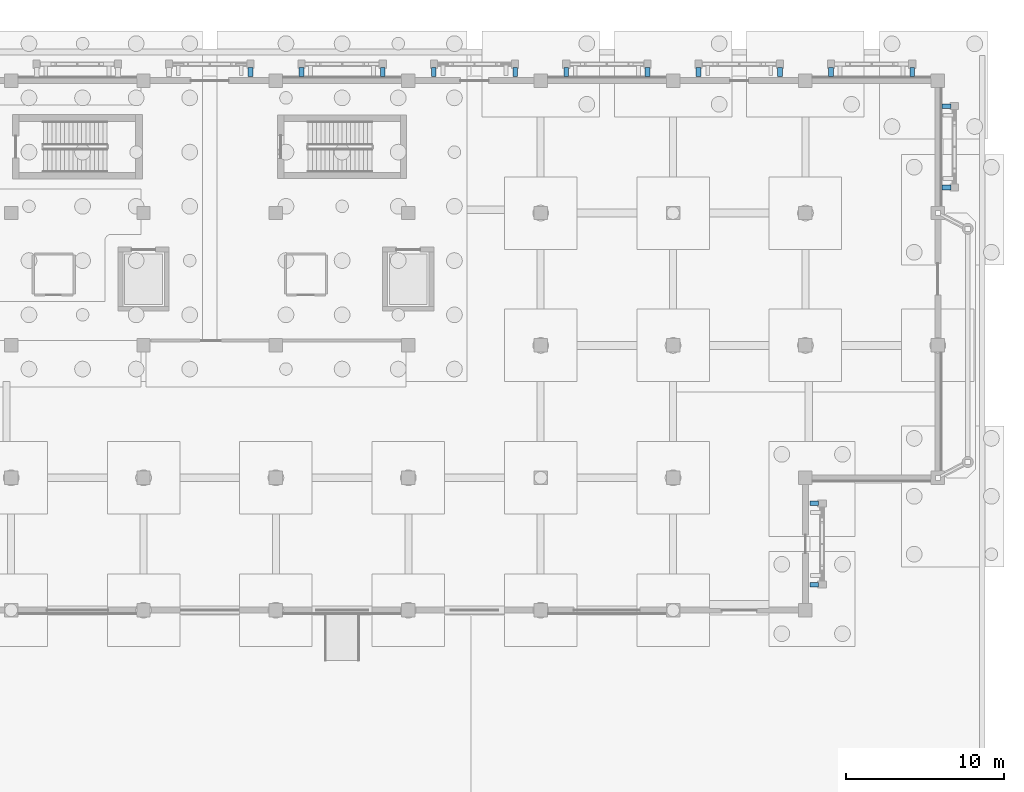
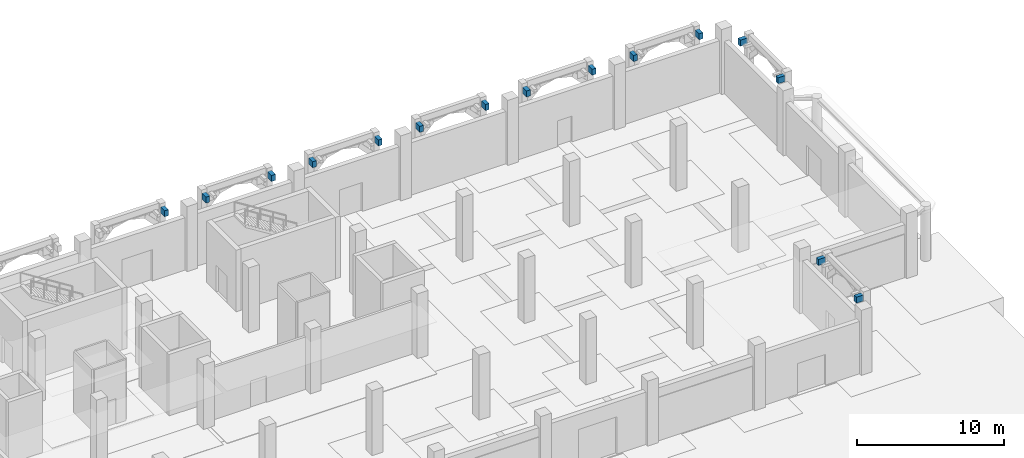
# One storey, part 49 of 98: 15 beams.
"""IFC4 building model written with IfcOpenShell, lengths in metres."""

from ifc_helpers import new_model, si_unit, direction, frame, origin, origin_2d, place, context, subcontext, project, spatial, rectangle, extrude, material, material_profile, profile_set, type_object, element, save


model = new_model("IFC4")

# Units and contexts
model_context = context("Model", 3, precision=1e-05, world=origin(), true_north=direction((0.0, 1.0)))
body_context = subcontext(model_context, "Body", "Model", "MODEL_VIEW")
ifc_project = project(units=[si_unit("LENGTHUNIT", "METRE"), si_unit("AREAUNIT", "SQUARE_METRE"), si_unit("VOLUMEUNIT", "CUBIC_METRE"), si_unit("PLANEANGLEUNIT", "RADIAN"), si_unit("MASSUNIT", "GRAM", prefix="KILO")], contexts=[model_context])

# Site, building, storey
site_placement = place(None, origin())
site = spatial("IfcSite", under=ifc_project, at=site_placement, CompositionType="ELEMENT")
building_placement = place(site_placement, origin())
building = spatial("IfcBuilding", under=site, at=building_placement, Name="Xazarin Passage Department Store", CompositionType="ELEMENT")
storey_placement = place(building_placement, origin())
storey = spatial("IfcBuildingStorey", under=building, at=storey_placement, Name="L00", CompositionType="ELEMENT", Elevation=0.0)

# Beams
ifc_material = material(Name="Concrete C35/45", Category="concrete")
ifc_material_profile = material_profile(ifc_material, rectangle(XDim=0.300048828125, YDim=0.5, at=origin_2d()), Name="RC 300x500")
ifc_profile_set = profile_set([ifc_material_profile], Name="Concrete C35/45")
beam_type = type_object("IfcBeamType", Name="STR-BM-LN300x500", PredefinedType="LINTEL", material=ifc_profile_set)
for number, where, z_axis, x_axis, name in (
    (1, (125.97998046875, 110.280029296875, 4.85009765625), (0.0, 1.0, 0.0), (-1.0, 0.0, 0.0), "L00 V4 Colonnade Tie Rib 042R"),
    (2, (129.219970703125, 110.280029296875, 4.85009765625), (0.0, 1.0, 0.0), (-1.0, 0.0, 0.0), "L00 V4 Colonnade Tie Rib 043L"),
    (3, (134.3798828125, 110.280029296875, 4.85009765625), (0.0, 1.0, 0.0), (-1.0, 0.0, 0.0), "L00 V4 Colonnade Tie Rib 043R"),
    (4, (137.6201171875, 110.280029296875, 4.85009765625), (0.0, 1.0, 0.0), (-1.0, 0.0, 0.0), "L00 V4 Colonnade Tie Rib 044L"),
    (5, (142.780029296875, 110.280029296875, 4.85009765625), (0.0, 1.0, 0.0), (-1.0, 0.0, 0.0), "L00 V4 Colonnade Tie Rib 044R"),
    (6, (146.02001953125, 110.280029296875, 4.85009765625), (0.0, 1.0, 0.0), (-1.0, 0.0, 0.0), "L00 V4 Colonnade Tie Rib 045L"),
    (7, (151.179931640625, 110.280029296875, 4.85009765625), (0.0, 1.0, 0.0), (-1.0, 0.0, 0.0), "L00 V4 Colonnade Tie Rib 045R"),
    (8, (154.419921875, 110.280029296875, 4.85009765625), (0.0, 1.0, 0.0), (-1.0, 0.0, 0.0), "L00 V4 Colonnade Tie Rib 046L"),
    (9, (159.580078125, 110.280029296875, 4.85009765625), (0.0, 1.0, 0.0), (-1.0, 0.0, 0.0), "L00 V4 Colonnade Tie Rib 046R"),
    (10, (162.820068359375, 110.280029296875, 4.85009765625), (0.0, 1.0, 0.0), (-1.0, 0.0, 0.0), "L00 V4 Colonnade Tie Rib 047L"),
    (11, (167.97998046875, 110.280029296875, 4.85009765625), (0.0, 1.0, 0.0), (-1.0, 0.0, 0.0), "L00 V4 Colonnade Tie Rib 047R"),
    (12, (161.47998046875, 78.02001953125, 4.85009765625), (1.0, 0.0, 0.0), (0.0, 1.0, 0.0), "L00 V4 Colonnade Tie Rib 048L"),
    (13, (161.47998046875, 83.179931640625, 4.85009765625), (1.0, 0.0, 0.0), (0.0, 1.0, 0.0), "L00 V4 Colonnade Tie Rib 048R"),
    (14, (169.8798828125, 103.219970703125, 4.85009765625), (1.0, 0.0, 0.0), (0.0, 1.0, 0.0), "L00 V4 Colonnade Tie Rib 049L"),
    (15, (169.8798828125, 108.3798828125, 4.85009765625), (1.0, 0.0, 0.0), (0.0, 1.0, 0.0), "L00 V4 Colonnade Tie Rib 049R"),
):
    element("IfcBeam", number, at=place(storey_placement, frame(where, z_axis=z_axis, x_axis=x_axis)), inside=storey, type_object=beam_type, Name=name, PredefinedType="LINTEL", context=body_context, shape_type="SweptSolid", body=[
        extrude(rectangle(XDim=0.300048828125, YDim=0.5, at=origin_2d()), origin(), (0.0, 0.0, 1.0), 0.550048828125),
    ])

save(model, "model.ifc")
